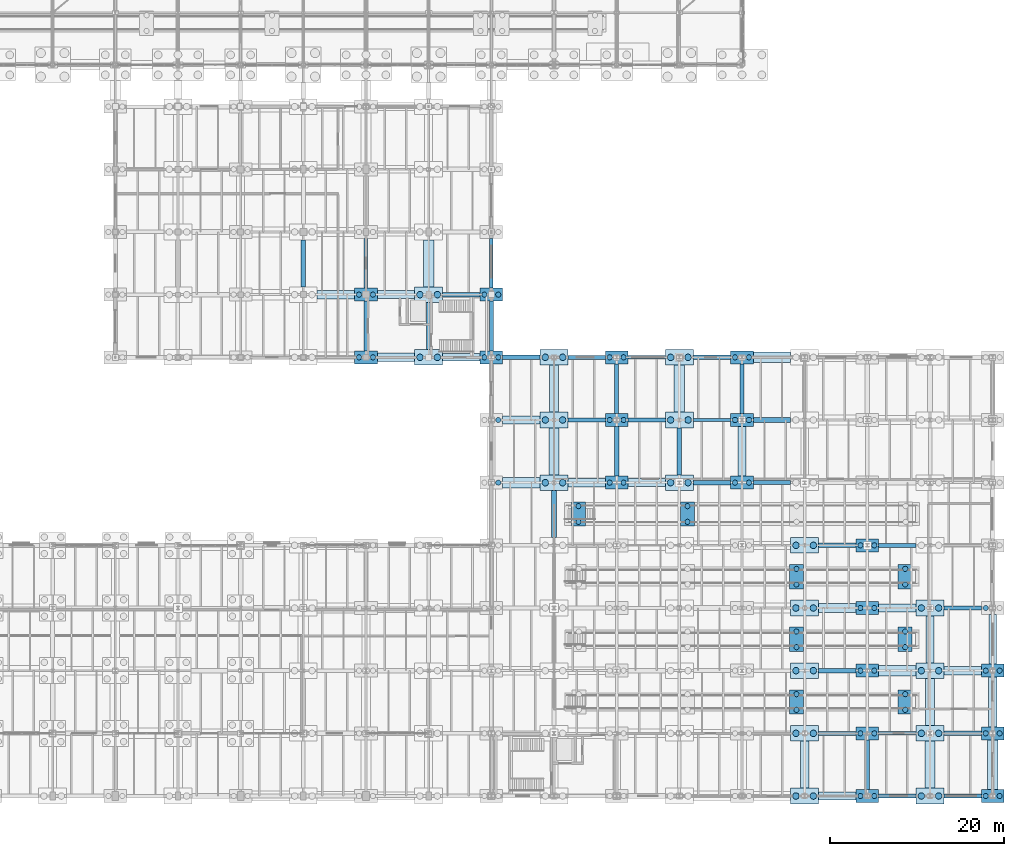
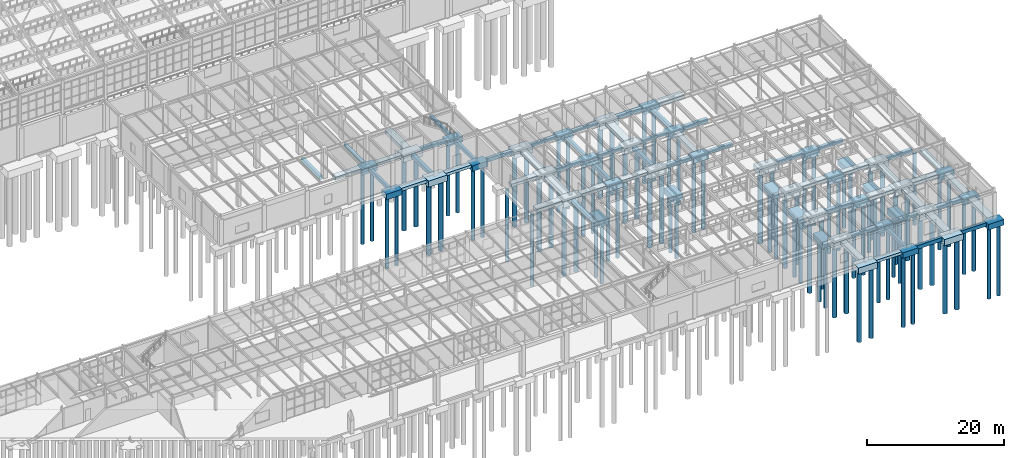
# One storey, part 11 of 293: 101 footings, 89 piles.
"""IFC4 building model written with IfcOpenShell, lengths in metres."""

import ifcopenshell
import ifcopenshell.guid

model = None  # the IFC model being written
_history = None  # IfcOwnerHistory: only IFC2X3 demands one
_inside = {}  # id of a spatial element -> (the spatial element, [elements in it])
_under = {}  # id of a project, library or spatial element -> (it, [spatial elements below it])
_declared = {}  # id of a project -> (the project, [libraries it declares])
_typed = {}  # id of a type object -> (the type object, [elements of that type])
_made_of = {}  # id of a material, layer set ... -> (it, [elements and type objects made of it])


def new_model(schema):
    """Start an empty IFC model of exactly this schema.

    Asked for "IFC4X3", IfcOpenShell would pick the latest addendum, in which some entities
    have other attributes; the version numbers below select the first issue.
    IFC2X3 requires an IfcOwnerHistory on every rooted entity: one is made here for all.
    """
    global model, _history
    if schema == "IFC4X3":
        model = ifcopenshell.file(schema_version=(4, 3, 0, 0))
    else:
        model = ifcopenshell.file(schema=schema)
    _inside.clear()
    _under.clear()
    _declared.clear()
    _typed.clear()
    _made_of.clear()
    _history = None
    if model.schema == "IFC2X3":
        org = make("IfcOrganization", Name="unknown")
        user = make(
            "IfcPersonAndOrganization",
            ThePerson=make("IfcPerson", FamilyName="unknown"),
            TheOrganization=org,
        )
        app = make(
            "IfcApplication",
            ApplicationDeveloper=org,
            Version="unknown",
            ApplicationFullName="unknown",
            ApplicationIdentifier="unknown",
        )
        _history = make(
            "IfcOwnerHistory",
            OwningUser=user,
            OwningApplication=app,
            ChangeAction="ADDED",
            CreationDate=0,
        )
    return model


def make(cls, **values):
    """One entity of the class cls with the attributes given. An attribute that is None is left unset."""
    return model.create_entity(
        cls, **{name: value for name, value in values.items() if value is not None}
    )


def rooted(cls, **values):
    """An entity with a GlobalId (a new one), such as an element, a storey or a relation."""
    return make(cls, GlobalId=ifcopenshell.guid.new(), OwnerHistory=_history, **values)


def si_unit(unit_type, name, prefix=None):
    """IfcSIUnit, for example si_unit("LENGTHUNIT", "METRE", prefix="MILLI")."""
    return make("IfcSIUnit", UnitType=unit_type, Prefix=prefix, Name=name)


def assignment(units):
    """IfcUnitAssignment: the units of a project."""
    return None if units is None else make("IfcUnitAssignment", Units=units)


def point(xyz):
    """IfcCartesianPoint."""
    return None if xyz is None else make("IfcCartesianPoint", Coordinates=xyz)


def direction(xyz):
    """IfcDirection."""
    return None if xyz is None else make("IfcDirection", DirectionRatios=xyz)


def frame(location, z_axis=None, x_axis=None):
    """IfcAxis2Placement3D, a coordinate frame: its origin and axes. An axis left out is left unset."""
    return make(
        "IfcAxis2Placement3D",
        Location=point(location),
        Axis=direction(z_axis),
        RefDirection=direction(x_axis),
    )


def frame_2d(location, x_axis=None):
    """IfcAxis2Placement2D, a coordinate frame in the plane: its origin and x axis."""
    return make(
        "IfcAxis2Placement2D", Location=point(location), RefDirection=direction(x_axis)
    )


def origin():
    """The frame at (0, 0, 0) with its axes left unset."""
    return frame((0.0, 0.0, 0.0))


def origin_2d():
    """The frame at (0, 0) in the plane with its x axis left unset."""
    return frame_2d((0.0, 0.0))


def place(relative_to, where):
    """IfcLocalPlacement: puts the frame where relative to a parent placement (None: the world)."""
    return make(
        "IfcLocalPlacement", PlacementRelTo=relative_to, RelativePlacement=where
    )


def context(
    kind, dimensions, precision=None, world=None, true_north=None, identifier=None
):
    """IfcGeometricRepresentationContext, for example the 3D "Model" context."""
    return make(
        "IfcGeometricRepresentationContext",
        ContextIdentifier=identifier,
        ContextType=kind,
        CoordinateSpaceDimension=dimensions,
        Precision=precision,
        WorldCoordinateSystem=world,
        TrueNorth=true_north,
    )


def subcontext(parent, identifier, kind, view, scale=None):
    """IfcGeometricRepresentationSubContext, for example "Body" below "Model"."""
    return make(
        "IfcGeometricRepresentationSubContext",
        ContextIdentifier=identifier,
        ContextType=kind,
        ParentContext=parent,
        TargetScale=scale,
        TargetView=view,
    )


def project(units=None, contexts=None):
    """IfcProject with its units and contexts."""
    return rooted(
        "IfcProject",
        Name="project",
        RepresentationContexts=contexts,
        UnitsInContext=assignment(units),
    )


def spatial(cls, under=None, at=None, **own):
    """A site, building, storey or space (cls), placed at a placement, below another one or the project."""
    s = rooted(cls, ObjectPlacement=at, **own)
    if under is not None:
        _under.setdefault(under.id(), (under, []))[1].append(s)
    return s


def profile(cls, at=None, kind="AREA", **sizes):
    """A parametric profile (cls). Its sizes go by their IFC names, for example OverallWidth=200.0."""
    return make(cls, ProfileType=kind, Position=at, **sizes)


def rectangle(**sizes):
    """IfcRectangleProfileDef."""
    return profile("IfcRectangleProfileDef", **sizes)


def circle(**sizes):
    """IfcCircleProfileDef."""
    return profile("IfcCircleProfileDef", **sizes)


def extrude(swept, where, along, depth):
    """IfcExtrudedAreaSolid: the profile swept, set in the frame where, extruded along a direction by depth."""
    return make(
        "IfcExtrudedAreaSolid",
        SweptArea=swept,
        Position=where,
        ExtrudedDirection=direction(along),
        Depth=depth,
    )


def shape(context_of_items, identifier, shape_type, items):
    """IfcShapeRepresentation: the items that make up one representation, for example the "Body"."""
    return make(
        "IfcShapeRepresentation",
        ContextOfItems=context_of_items,
        RepresentationIdentifier=identifier,
        RepresentationType=shape_type,
        Items=items,
    )


def material(Name=None, Category=None):
    """IfcMaterial."""
    return make("IfcMaterial", Name=Name, Category=Category)


def material_profile(
    of_material, cross_section, Name=None, Category=None, Priority=None
):
    """IfcMaterialProfile: a cross section and its material."""
    return make(
        "IfcMaterialProfile",
        Name=Name,
        Material=of_material,
        Profile=cross_section,
        Priority=Priority,
        Category=Category,
    )


def profile_set(profiles, Name=None, composite=None):
    """IfcMaterialProfileSet."""
    return make(
        "IfcMaterialProfileSet",
        Name=Name,
        MaterialProfiles=profiles,
        CompositeProfile=composite,
    )


def made_of(thing, what):
    """Note that an element or type object is made of a material, layer set ...; save() writes the relation."""
    if what is not None:
        _made_of.setdefault(what.id(), (what, []))[1].append(thing)
    return thing


def type_object(cls, material=None, **own):
    """A type object (cls), such as IfcWallType, which elements share."""
    return made_of(rooted(cls, **own), material)


def element(
    cls,
    number,
    at=None,
    inside=None,
    cuts=None,
    type_object=None,
    material=None,
    context=None,
    identifier="Body",
    shape_type=None,
    held_by="IfcProductDefinitionShape",
    body=None,
    shapes=None,
    **own,
):
    """One element of the class cls, such as IfcWall. Its Tag is "e" and its number.

    at: its placement. inside: the storey or other place that contains it. cuts: it is an
    opening in that element (IfcRelVoidsElement). A single representation is given by context,
    identifier, shape_type and body (its items); several are given by shapes. held_by: the class
    of the entity that holds the representations. save() writes the other relations.
    """
    e = rooted(cls, Tag="e%d" % number, ObjectPlacement=at, **own)
    if body is not None:
        shapes = [shape(context, identifier, shape_type, body)]
    if shapes is not None:
        e.Representation = make(held_by, Representations=shapes)
    if inside is not None:
        _inside.setdefault(inside.id(), (inside, []))[1].append(e)
    if cuts is not None:
        rooted(
            "IfcRelVoidsElement", RelatingBuildingElement=cuts, RelatedOpeningElement=e
        )
    if type_object is not None:
        _typed.setdefault(type_object.id(), (type_object, []))[1].append(e)
    return made_of(e, material)


def aggregate(whole, parts):
    """IfcRelAggregates: a whole, such as a stair, and the parts it consists of."""
    return rooted("IfcRelAggregates", RelatingObject=whole, RelatedObjects=parts)


def save(model, path):
    """Write the relations noted so far, then the file.

    IfcRelAggregates (storeys below a building ...), IfcRelContainedInSpatialStructure (elements
    in a storey), IfcRelDefinesByType, IfcRelAssociatesMaterial and IfcRelDeclares: one each for
    every whole, place, type object, material and project.
    """
    for whole, parts in _under.values():
        aggregate(whole, parts)
    for where, things in _inside.values():
        rooted(
            "IfcRelContainedInSpatialStructure",
            RelatedElements=things,
            RelatingStructure=where,
        )
    for kind, things in _typed.values():
        rooted("IfcRelDefinesByType", RelatedObjects=things, RelatingType=kind)
    for what, things in _made_of.values():
        rooted("IfcRelAssociatesMaterial", RelatedObjects=things, RelatingMaterial=what)
    for by, libraries in _declared.values():
        rooted("IfcRelDeclares", RelatingContext=by, RelatedDefinitions=libraries)
    model.write(path)


model = new_model("IFC4")

# Units and contexts
model_context = context("Model", 3, precision=1e-05, world=origin(), true_north=direction((0.0, 1.0)))
body_context = subcontext(model_context, "Body", "Model", "MODEL_VIEW")
ifc_project = project(units=[si_unit("LENGTHUNIT", "METRE"), si_unit("AREAUNIT", "SQUARE_METRE"), si_unit("VOLUMEUNIT", "CUBIC_METRE"), si_unit("PLANEANGLEUNIT", "RADIAN"), si_unit("MASSUNIT", "GRAM", prefix="KILO")], contexts=[model_context])

# Site, building, storey
site_placement = place(None, origin())
site = spatial("IfcSite", under=ifc_project, at=site_placement, CompositionType="ELEMENT")
building_placement = place(site_placement, origin())
building = spatial("IfcBuilding", under=site, at=building_placement, Name="Kemerveld Promenade Tramway Depot", CompositionType="ELEMENT")
storey_placement = place(building_placement, origin())
storey = spatial("IfcBuildingStorey", under=building, at=storey_placement, Name="L00", CompositionType="ELEMENT", Elevation=0.0)

# Footings
ifc_material = material(Name="Concrete C35/45", Category="concrete")
footing_type_1 = type_object("IfcFootingType", Name="FT-GB01", PredefinedType="FOOTING_BEAM", material=ifc_material)
for number, where, z_axis, x_axis, name in (
    (1, (205.050048828125, 0.0, -0.949951171875), (0.0, 0.0, 1.0), (1.0, 0.0, 0.0), "GBX-29-30-A"),
    (2, (212.550048828125, 21.60009765625, -0.949951171875), (0.0, 0.0, 1.0), (1.0, 0.0, 0.0), "GBX-30-31-D"),
    (3, (198.14990234375, 28.800048828125, -0.949951171875), (0.0, 0.0, 1.0), (1.0, 0.0, 0.0), "GBX-28-29-E"),
    (4, (183.75, 36.0, -0.949951171875), (0.0, 0.0, 1.0), (1.0, 0.0, 0.0), "GBX-26-27-F"),
    (5, (169.35009765625, 43.199951171875, -0.949951171875), (0.0, 0.0, 1.0), (1.0, 0.0, 0.0), "GBX-24-25-G"),
    (6, (161.85009765625, 50.39990234375, -0.949951171875), (0.0, 0.0, 1.0), (1.0, 0.0, 0.0), "GBX-23-24-H"),
    (7, (154.949951171875, 57.60009765625, -0.949951171875), (0.0, 0.0, 1.0), (1.0, 0.0, 0.0), "GBX-22-23-J"),
):
    element("IfcFooting", number, at=place(storey_placement, frame(where, z_axis=z_axis, x_axis=x_axis)), inside=storey, type_object=footing_type_1, Name=name, PredefinedType="FOOTING_BEAM", context=body_context, shape_type="SweptSolid", body=[
        extrude(rectangle(XDim=4.300048828125, YDim=0.5, at=origin_2d()), origin(), (0.0, 0.0, 1.0), 0.64990234375),
    ])
footing_1_placement = place(storey_placement, frame((136.800048828125, 61.199951171875, -0.949951171875), z_axis=(0.0, 0.0, 1.0), x_axis=(0.0, 1.0, 0.0)))
element("IfcFooting", 8, at=footing_1_placement, inside=storey, type_object=footing_type_1, Name="GBY-20-J-K", PredefinedType="FOOTING_BEAM", context=body_context, shape_type="SweptSolid", body=[
    extrude(rectangle(XDim=5.39990234375, YDim=0.5, at=origin_2d()), origin(), (0.0, 0.0, 1.0), 0.64990234375),
])
for number, where, z_axis, x_axis, name in (
    (9, (172.800048828125, 39.60009765625, -0.949951171875), (0.0, 0.0, 1.0), (0.0, 1.0, 0.0), "GBY-25-F-G"),
    (10, (187.199951171875, 46.800048828125, -0.949951171875), (0.0, 0.0, 1.0), (0.0, 1.0, 0.0), "GBY-27-G-H"),
):
    element("IfcFooting", number, at=place(storey_placement, frame(where, z_axis=z_axis, x_axis=x_axis)), inside=storey, type_object=footing_type_1, Name=name, PredefinedType="FOOTING_BEAM", context=body_context, shape_type="SweptSolid", body=[
        extrude(rectangle(XDim=5.699951171875, YDim=0.5, at=origin_2d()), origin(), (0.0, 0.0, 1.0), 0.64990234375),
    ])
footing_type_2 = type_object("IfcFootingType", Name="FT-GB02", PredefinedType="FOOTING_BEAM", material=ifc_material)
for number, where, z_axis, x_axis, name in (
    (11, (212.550048828125, 0.0, -0.900146484375), (0.0, 0.0, 1.0), (1.0, 0.0, 0.0), "GBX-30-31-A"),
    (12, (198.14990234375, 7.199951171875, -0.900146484375), (0.0, 0.0, 1.0), (1.0, 0.0, 0.0), "GBX-28-29-B"),
    (13, (205.050048828125, 28.800048828125, -0.900146484375), (0.0, 0.0, 1.0), (1.0, 0.0, 0.0), "GBX-29-30-E"),
    (14, (190.64990234375, 36.0, -0.900146484375), (0.0, 0.0, 1.0), (1.0, 0.0, 0.0), "GBX-27-28-F"),
    (15, (176.25, 43.199951171875, -0.900146484375), (0.0, 0.0, 1.0), (1.0, 0.0, 0.0), "GBX-25-26-G"),
    (16, (169.35009765625, 50.39990234375, -0.900146484375), (0.0, 0.0, 1.0), (1.0, 0.0, 0.0), "GBX-24-25-H"),
):
    element("IfcFooting", number, at=place(storey_placement, frame(where, z_axis=z_axis, x_axis=x_axis)), inside=storey, type_object=footing_type_2, Name=name, PredefinedType="FOOTING_BEAM", context=body_context, shape_type="SweptSolid", body=[
        extrude(rectangle(XDim=4.300048828125, YDim=0.449951171875, at=origin_2d()), origin(), (0.0, 0.0, 1.0), 0.60009765625),
    ])
for number, where, z_axis, x_axis, name in (
    (17, (144.0, 54.0, -0.900146484375), (0.0, 0.0, 1.0), (0.0, 1.0, 0.0), "GBY-21-H-J"),
    (18, (158.39990234375, 54.0, -0.900146484375), (0.0, 0.0, 1.0), (0.0, 1.0, 0.0), "GBY-23-H-J"),
    (19, (172.800048828125, 46.800048828125, -0.900146484375), (0.0, 0.0, 1.0), (0.0, 1.0, 0.0), "GBY-25-G-H"),
    (20, (201.60009765625, 3.60009765625, -0.900146484375), (0.0, 0.0, 1.0), (0.0, 1.0, 0.0), "GBY-29-A-B"),
):
    element("IfcFooting", number, at=place(storey_placement, frame(where, z_axis=z_axis, x_axis=x_axis)), inside=storey, type_object=footing_type_2, Name=name, PredefinedType="FOOTING_BEAM", context=body_context, shape_type="SweptSolid", body=[
        extrude(rectangle(XDim=5.699951171875, YDim=0.449951171875, at=origin_2d()), origin(), (0.0, 0.0, 1.0), 0.60009765625),
    ])
footing_type_3 = type_object("IfcFootingType", Name="FT-GB03", PredefinedType="FOOTING_BEAM", material=ifc_material)
for number, where, z_axis, x_axis, name in (
    (21, (205.050048828125, 7.199951171875, -0.85009765625), (0.0, 0.0, 1.0), (1.0, 0.0, 0.0), "GBX-29-30-B"),
    (22, (183.75, 43.199951171875, -0.85009765625), (0.0, 0.0, 1.0), (1.0, 0.0, 0.0), "GBX-26-27-G"),
    (23, (176.25, 50.39990234375, -0.85009765625), (0.0, 0.0, 1.0), (1.0, 0.0, 0.0), "GBX-25-26-H"),
):
    element("IfcFooting", number, at=place(storey_placement, frame(where, z_axis=z_axis, x_axis=x_axis)), inside=storey, type_object=footing_type_3, Name=name, PredefinedType="FOOTING_BEAM", context=body_context, shape_type="SweptSolid", body=[
        extrude(rectangle(XDim=4.300048828125, YDim=0.39990234375, at=origin_2d()), origin(), (0.0, 0.0, 1.0), 0.550048828125),
    ])
for number, where, z_axis, x_axis, name in (
    (24, (144.0, 61.199951171875, -0.85009765625), (0.0, 0.0, 1.0), (0.0, 1.0, 0.0), "GBY-21-J-K"),
    (25, (158.39990234375, 61.199951171875, -0.85009765625), (0.0, 0.0, 1.0), (0.0, 1.0, 0.0), "GBY-23-J-K"),
):
    element("IfcFooting", number, at=place(storey_placement, frame(where, z_axis=z_axis, x_axis=x_axis)), inside=storey, type_object=footing_type_3, Name=name, PredefinedType="FOOTING_BEAM", context=body_context, shape_type="SweptSolid", body=[
        extrude(rectangle(XDim=5.699951171875, YDim=0.39990234375, at=origin_2d()), origin(), (0.0, 0.0, 1.0), 0.550048828125),
    ])
footing_type_4 = type_object("IfcFootingType", Name="FT-GB04", PredefinedType="FOOTING_BEAM", material=ifc_material)
for number, where, z_axis, x_axis, name in (
    (26, (212.550048828125, 7.199951171875, -1.0), (0.0, 0.0, 1.0), (1.0, 0.0, 0.0), "GBX-30-31-B"),
    (27, (198.14990234375, 14.39990234375, -1.0), (0.0, 0.0, 1.0), (1.0, 0.0, 0.0), "GBX-28-29-C"),
    (28, (190.64990234375, 43.199951171875, -1.0), (0.0, 0.0, 1.0), (1.0, 0.0, 0.0), "GBX-27-28-G"),
    (29, (183.75, 50.39990234375, -1.0), (0.0, 0.0, 1.0), (1.0, 0.0, 0.0), "GBX-26-27-H"),
):
    element("IfcFooting", number, at=place(storey_placement, frame(where, z_axis=z_axis, x_axis=x_axis)), inside=storey, type_object=footing_type_4, Name=name, PredefinedType="FOOTING_BEAM", context=body_context, shape_type="SweptSolid", body=[
        extrude(rectangle(XDim=4.300048828125, YDim=0.550048828125, at=origin_2d()), origin(), (0.0, 0.0, 1.0), 0.699951171875),
    ])
for number, where, z_axis, x_axis, name in (
    (30, (151.199951171875, 54.0, -1.0), (0.0, 0.0, 1.0), (0.0, 1.0, 0.0), "GBY-22-H-J"),
    (31, (165.60009765625, 32.39990234375, -1.0), (0.0, 0.0, 1.0), (0.0, 1.0, 0.0), "GBY-24-E-F"),
    (32, (180.0, 39.60009765625, -1.0), (0.0, 0.0, 1.0), (0.0, 1.0, 0.0), "GBY-26-F-G"),
):
    element("IfcFooting", number, at=place(storey_placement, frame(where, z_axis=z_axis, x_axis=x_axis)), inside=storey, type_object=footing_type_4, Name=name, PredefinedType="FOOTING_BEAM", context=body_context, shape_type="SweptSolid", body=[
        extrude(rectangle(XDim=5.39990234375, YDim=0.550048828125, at=origin_2d()), origin(), (0.0, 0.0, 1.0), 0.699951171875),
    ])
footing_type_5 = type_object("IfcFootingType", Name="FT-PC06", PredefinedType="PILE_CAP", material=ifc_material)
for number, where, z_axis, x_axis, name in (
    (33, (151.199951171875, 50.39990234375, -1.400146484375), (0.0, 0.0, 1.0), (1.0, 0.0, 0.0), "FT-22-H"),
    (34, (151.199951171875, 57.60009765625, -1.400146484375), (0.0, 0.0, 1.0), (1.0, 0.0, 0.0), "FT-22-J"),
    (35, (165.60009765625, 36.0, -1.400146484375), (0.0, 0.0, 1.0), (1.0, 0.0, 0.0), "FT-24-F"),
    (36, (165.60009765625, 43.199951171875, -1.400146484375), (0.0, 0.0, 1.0), (1.0, 0.0, 0.0), "FT-24-G"),
    (37, (165.60009765625, 50.39990234375, -1.400146484375), (0.0, 0.0, 1.0), (1.0, 0.0, 0.0), "FT-24-H"),
    (38, (180.0, 36.0, -1.400146484375), (0.0, 0.0, 1.0), (1.0, 0.0, 0.0), "FT-26-F"),
    (39, (180.0, 43.199951171875, -1.400146484375), (0.0, 0.0, 1.0), (1.0, 0.0, 0.0), "FT-26-G"),
    (40, (180.0, 50.39990234375, -1.400146484375), (0.0, 0.0, 1.0), (1.0, 0.0, 0.0), "FT-26-H"),
    (41, (194.39990234375, 0.0, -1.400146484375), (0.0, 0.0, 1.0), (1.0, 0.0, 0.0), "FT-28-A"),
    (42, (194.39990234375, 7.199951171875, -1.400146484375), (0.0, 0.0, 1.0), (1.0, 0.0, 0.0), "FT-28-B"),
    (43, (194.39990234375, 14.39990234375, -1.400146484375), (0.0, 0.0, 1.0), (1.0, 0.0, 0.0), "FT-28-C"),
    (44, (194.39990234375, 21.60009765625, -1.400146484375), (0.0, 0.0, 1.0), (1.0, 0.0, 0.0), "FT-28-D"),
    (45, (194.39990234375, 28.800048828125, -1.400146484375), (0.0, 0.0, 1.0), (1.0, 0.0, 0.0), "FT-28-E"),
    (46, (208.800048828125, 0.0, -1.400146484375), (0.0, 0.0, 1.0), (1.0, 0.0, 0.0), "FT-30-A"),
    (47, (208.800048828125, 7.199951171875, -1.400146484375), (0.0, 0.0, 1.0), (1.0, 0.0, 0.0), "FT-30-B"),
    (48, (208.800048828125, 14.39990234375, -1.400146484375), (0.0, 0.0, 1.0), (1.0, 0.0, 0.0), "FT-30-C"),
    (49, (208.800048828125, 21.60009765625, -1.400146484375), (0.0, 0.0, 1.0), (1.0, 0.0, 0.0), "FT-30-D"),
):
    element("IfcFooting", number, at=place(storey_placement, frame(where, z_axis=z_axis, x_axis=x_axis)), inside=storey, type_object=footing_type_5, Name=name, PredefinedType="PILE_CAP", context=body_context, shape_type="SweptSolid", body=[
        extrude(rectangle(XDim=3.199951171875, YDim=1.800048828125, at=origin_2d()), origin(), (0.0, 0.0, 1.0), 1.10009765625),
    ])
footing_type_6 = type_object("IfcFootingType", Name="FT-PC07", PredefinedType="PILE_CAP", material=ifc_material)
for number, where, z_axis, x_axis, name in (
    (50, (193.449951171875, 10.800048828125, -3.0), (0.0, 0.0, 1.0), (1.0, 0.0, 0.0), "FT-PIT-08-03"),
    (51, (205.949951171875, 10.800048828125, -3.0), (0.0, 0.0, 1.0), (1.0, 0.0, 0.0), "FT-PIT-08-04"),
    (52, (193.449951171875, 18.0, -3.0), (0.0, 0.0, 1.0), (1.0, 0.0, 0.0), "FT-PIT-09-03"),
    (53, (205.949951171875, 18.0, -3.0), (0.0, 0.0, 1.0), (1.0, 0.0, 0.0), "FT-PIT-09-04"),
    (54, (193.449951171875, 25.199951171875, -3.0), (0.0, 0.0, 1.0), (1.0, 0.0, 0.0), "FT-PIT-10-03"),
    (55, (205.949951171875, 25.199951171875, -3.0), (0.0, 0.0, 1.0), (1.0, 0.0, 0.0), "FT-PIT-10-04"),
    (56, (168.39990234375, 32.39990234375, -3.64990234375), (0.0, 0.0, 1.0), (1.0, 0.0, 0.0), "FT-PIT-11-01"),
    (57, (180.93310546875, 32.39990234375, -3.64990234375), (0.0, 0.0, 1.0), (1.0, 0.0, 0.0), "FT-PIT-11-02"),
):
    element("IfcFooting", number, at=place(storey_placement, frame(where, z_axis=z_axis, x_axis=x_axis)), inside=storey, type_object=footing_type_6, Name=name, PredefinedType="PILE_CAP", context=body_context, shape_type="SweptSolid", body=[
        extrude(rectangle(XDim=1.60009765625, YDim=2.800048828125, at=origin_2d()), origin(), (0.0, 0.0, 1.0), 1.050048828125),
    ])
footing_type_7 = type_object("IfcFootingType", Name="FT-PC08", PredefinedType="PILE_CAP", material=ifc_material)
for number, where, z_axis, x_axis, name in (
    (58, (144.0, 50.39990234375, -1.300048828125), (0.0, 0.0, 1.0), (1.0, 0.0, 0.0), "FT-21-H"),
    (59, (144.0, 57.60009765625, -1.300048828125), (0.0, 0.0, 1.0), (1.0, 0.0, 0.0), "FT-21-J"),
    (60, (158.39990234375, 50.39990234375, -1.300048828125), (0.0, 0.0, 1.0), (1.0, 0.0, 0.0), "FT-23-H"),
    (61, (158.39990234375, 57.60009765625, -1.300048828125), (0.0, 0.0, 1.0), (1.0, 0.0, 0.0), "FT-23-J"),
    (62, (172.800048828125, 36.0, -1.300048828125), (0.0, 0.0, 1.0), (1.0, 0.0, 0.0), "FT-25-F"),
    (63, (172.800048828125, 43.199951171875, -1.300048828125), (0.0, 0.0, 1.0), (1.0, 0.0, 0.0), "FT-25-G"),
    (64, (172.800048828125, 50.39990234375, -1.300048828125), (0.0, 0.0, 1.0), (1.0, 0.0, 0.0), "FT-25-H"),
    (65, (187.199951171875, 36.0, -1.300048828125), (0.0, 0.0, 1.0), (1.0, 0.0, 0.0), "FT-27-F"),
    (66, (187.199951171875, 43.199951171875, -1.300048828125), (0.0, 0.0, 1.0), (1.0, 0.0, 0.0), "FT-27-G"),
    (67, (187.199951171875, 50.39990234375, -1.300048828125), (0.0, 0.0, 1.0), (1.0, 0.0, 0.0), "FT-27-H"),
    (68, (201.60009765625, 0.0, -1.300048828125), (0.0, 0.0, 1.0), (1.0, 0.0, 0.0), "FT-29-A"),
    (69, (201.60009765625, 7.199951171875, -1.300048828125), (0.0, 0.0, 1.0), (1.0, 0.0, 0.0), "FT-29-B"),
    (70, (201.60009765625, 14.39990234375, -1.300048828125), (0.0, 0.0, 1.0), (1.0, 0.0, 0.0), "FT-29-C"),
    (71, (201.60009765625, 21.60009765625, -1.300048828125), (0.0, 0.0, 1.0), (1.0, 0.0, 0.0), "FT-29-D"),
    (72, (201.60009765625, 28.800048828125, -1.300048828125), (0.0, 0.0, 1.0), (1.0, 0.0, 0.0), "FT-29-E"),
    (73, (216.0, 0.0, -1.300048828125), (0.0, 0.0, 1.0), (1.0, 0.0, 0.0), "FT-31-A"),
    (74, (216.0, 7.199951171875, -1.300048828125), (0.0, 0.0, 1.0), (1.0, 0.0, 0.0), "FT-31-B"),
    (75, (216.0, 14.39990234375, -1.300048828125), (0.0, 0.0, 1.0), (1.0, 0.0, 0.0), "FT-31-C"),
):
    element("IfcFooting", number, at=place(storey_placement, frame(where, z_axis=z_axis, x_axis=x_axis)), inside=storey, type_object=footing_type_7, Name=name, PredefinedType="PILE_CAP", context=body_context, shape_type="SweptSolid", body=[
        extrude(rectangle(XDim=2.60009765625, YDim=1.5, at=origin_2d()), origin(), (0.0, 0.0, 1.0), 1.0),
    ])
footing_type_8 = type_object("IfcFootingType", Name="FT-SF01", PredefinedType="STRIP_FOOTING", material=ifc_material)
for number, where, z_axis, x_axis, name in (
    (76, (205.050048828125, 14.39990234375, -0.900146484375), (0.0, 0.0, 1.0), (1.0, 0.0, 0.0), "GBX-29-30-C"),
    (77, (161.85009765625, 36.0, -0.900146484375), (0.0, 0.0, 1.0), (1.0, 0.0, 0.0), "GBX-23-24-F"),
    (78, (190.64990234375, 50.39990234375, -0.900146484375), (0.0, 0.0, 1.0), (1.0, 0.0, 0.0), "GBX-27-28-H"),
):
    element("IfcFooting", number, at=place(storey_placement, frame(where, z_axis=z_axis, x_axis=x_axis)), inside=storey, type_object=footing_type_8, Name=name, PredefinedType="STRIP_FOOTING", context=body_context, shape_type="SweptSolid", body=[
        extrude(rectangle(XDim=4.300048828125, YDim=1.199951171875, at=origin_2d()), origin(), (0.0, 0.0, 1.0), 0.60009765625),
    ])
for number, where, z_axis, x_axis, name in (
    (79, (151.199951171875, 61.199951171875, -0.900146484375), (0.0, 0.0, 1.0), (0.0, 1.0, 0.0), "GBY-22-J-K"),
    (80, (165.60009765625, 39.60009765625, -0.900146484375), (0.0, 0.0, 1.0), (0.0, 1.0, 0.0), "GBY-24-F-G"),
    (81, (180.0, 46.800048828125, -0.900146484375), (0.0, 0.0, 1.0), (0.0, 1.0, 0.0), "GBY-26-G-H"),
    (82, (208.800048828125, 3.60009765625, -0.900146484375), (0.0, 0.0, 1.0), (0.0, 1.0, 0.0), "GBY-30-A-B"),
):
    element("IfcFooting", number, at=place(storey_placement, frame(where, z_axis=z_axis, x_axis=x_axis)), inside=storey, type_object=footing_type_8, Name=name, PredefinedType="STRIP_FOOTING", context=body_context, shape_type="SweptSolid", body=[
        extrude(rectangle(XDim=5.39990234375, YDim=1.199951171875, at=origin_2d()), origin(), (0.0, 0.0, 1.0), 0.60009765625),
    ])
footing_2_placement = place(storey_placement, frame((216.0, 3.60009765625, -0.900146484375), z_axis=(0.0, 0.0, 1.0), x_axis=(0.0, 1.0, 0.0)))
element("IfcFooting", 83, at=footing_2_placement, inside=storey, type_object=footing_type_8, Name="GBY-31-A-B", PredefinedType="STRIP_FOOTING", context=body_context, shape_type="SweptSolid", body=[
    extrude(rectangle(XDim=5.699951171875, YDim=1.199951171875, at=origin_2d()), origin(), (0.0, 0.0, 1.0), 0.60009765625),
])
footing_type_9 = type_object("IfcFootingType", Name="FT-SF02", PredefinedType="STRIP_FOOTING", material=ifc_material)
for number, where, z_axis, x_axis, name in (
    (84, (212.550048828125, 14.39990234375, -0.85009765625), (0.0, 0.0, 1.0), (1.0, 0.0, 0.0), "GBX-30-31-C"),
    (85, (198.14990234375, 21.60009765625, -0.85009765625), (0.0, 0.0, 1.0), (1.0, 0.0, 0.0), "GBX-28-29-D"),
    (86, (169.35009765625, 36.0, -0.85009765625), (0.0, 0.0, 1.0), (1.0, 0.0, 0.0), "GBX-24-25-F"),
    (87, (147.449951171875, 50.39990234375, -0.85009765625), (0.0, 0.0, 1.0), (1.0, 0.0, 0.0), "GBX-21-22-H"),
    (88, (140.550048828125, 57.60009765625, -0.85009765625), (0.0, 0.0, 1.0), (1.0, 0.0, 0.0), "GBX-20-21-J"),
):
    element("IfcFooting", number, at=place(storey_placement, frame(where, z_axis=z_axis, x_axis=x_axis)), inside=storey, type_object=footing_type_9, Name=name, PredefinedType="STRIP_FOOTING", context=body_context, shape_type="SweptSolid", body=[
        extrude(rectangle(XDim=4.300048828125, YDim=1.0, at=origin_2d()), origin(), (0.0, 0.0, 1.0), 0.550048828125),
    ])
for number, where, z_axis, x_axis, name in (
    (89, (165.60009765625, 46.800048828125, -0.85009765625), (0.0, 0.0, 1.0), (0.0, 1.0, 0.0), "GBY-24-G-H"),
    (90, (194.39990234375, 3.60009765625, -0.85009765625), (0.0, 0.0, 1.0), (0.0, 1.0, 0.0), "GBY-28-A-B"),
    (91, (208.800048828125, 10.800048828125, -0.85009765625), (0.0, 0.0, 1.0), (0.0, 1.0, 0.0), "GBY-30-B-C"),
):
    element("IfcFooting", number, at=place(storey_placement, frame(where, z_axis=z_axis, x_axis=x_axis)), inside=storey, type_object=footing_type_9, Name=name, PredefinedType="STRIP_FOOTING", context=body_context, shape_type="SweptSolid", body=[
        extrude(rectangle(XDim=5.39990234375, YDim=1.0, at=origin_2d()), origin(), (0.0, 0.0, 1.0), 0.550048828125),
    ])
footing_3_placement = place(storey_placement, frame((216.0, 10.800048828125, -0.85009765625), z_axis=(0.0, 0.0, 1.0), x_axis=(0.0, 1.0, 0.0)))
element("IfcFooting", 92, at=footing_3_placement, inside=storey, type_object=footing_type_9, Name="GBY-31-B-C", PredefinedType="STRIP_FOOTING", context=body_context, shape_type="SweptSolid", body=[
    extrude(rectangle(XDim=5.699951171875, YDim=1.0, at=origin_2d()), origin(), (0.0, 0.0, 1.0), 0.550048828125),
])
footing_type_10 = type_object("IfcFootingType", Name="FT-SF03", PredefinedType="STRIP_FOOTING", material=ifc_material)
for number, where, z_axis, x_axis, name in (
    (93, (198.14990234375, 0.0, -0.800048828125), (0.0, 0.0, 1.0), (1.0, 0.0, 0.0), "GBX-28-29-A"),
    (94, (205.050048828125, 21.60009765625, -0.800048828125), (0.0, 0.0, 1.0), (1.0, 0.0, 0.0), "GBX-29-30-D"),
    (95, (176.25, 36.0, -0.800048828125), (0.0, 0.0, 1.0), (1.0, 0.0, 0.0), "GBX-25-26-F"),
    (96, (161.85009765625, 43.199951171875, -0.800048828125), (0.0, 0.0, 1.0), (1.0, 0.0, 0.0), "GBX-23-24-G"),
    (97, (154.949951171875, 50.39990234375, -0.800048828125), (0.0, 0.0, 1.0), (1.0, 0.0, 0.0), "GBX-22-23-H"),
    (98, (147.449951171875, 57.60009765625, -0.800048828125), (0.0, 0.0, 1.0), (1.0, 0.0, 0.0), "GBX-21-22-J"),
):
    element("IfcFooting", number, at=place(storey_placement, frame(where, z_axis=z_axis, x_axis=x_axis)), inside=storey, type_object=footing_type_10, Name=name, PredefinedType="STRIP_FOOTING", context=body_context, shape_type="SweptSolid", body=[
        extrude(rectangle(XDim=4.300048828125, YDim=0.89990234375, at=origin_2d()), origin(), (0.0, 0.0, 1.0), 0.5),
    ])
footing_4_placement = place(storey_placement, frame((187.199951171875, 39.60009765625, -0.800048828125), z_axis=(0.0, 0.0, 1.0), x_axis=(0.0, 1.0, 0.0)))
element("IfcFooting", 99, at=footing_4_placement, inside=storey, type_object=footing_type_10, Name="GBY-27-F-G", PredefinedType="STRIP_FOOTING", context=body_context, shape_type="SweptSolid", body=[
    extrude(rectangle(XDim=5.699951171875, YDim=0.89990234375, at=origin_2d()), origin(), (0.0, 0.0, 1.0), 0.5),
])
footing_5_placement = place(storey_placement, frame((208.800048828125, 18.0, -0.800048828125), z_axis=(0.0, 0.0, 1.0), x_axis=(0.0, 1.0, 0.0)))
element("IfcFooting", 100, at=footing_5_placement, inside=storey, type_object=footing_type_10, Name="GBY-30-C-D", PredefinedType="STRIP_FOOTING", context=body_context, shape_type="SweptSolid", body=[
    extrude(rectangle(XDim=5.39990234375, YDim=0.89990234375, at=origin_2d()), origin(), (0.0, 0.0, 1.0), 0.5),
])
footing_6_placement = place(storey_placement, frame((216.0, 18.0, -0.800048828125), z_axis=(0.0, 0.0, 1.0), x_axis=(0.0, 1.0, 0.0)))
element("IfcFooting", 101, at=footing_6_placement, inside=storey, type_object=footing_type_10, Name="GBY-31-C-D", PredefinedType="STRIP_FOOTING", context=body_context, shape_type="SweptSolid", body=[
    extrude(rectangle(XDim=5.699951171875, YDim=0.89990234375, at=origin_2d()), origin(), (0.0, 0.0, 1.0), 0.5),
])

# Piles
ifc_material_profile_1 = material_profile(ifc_material, circle(Radius=0.300048828125, at=origin_2d()), Name="PILE-D600")
ifc_profile_set_1 = profile_set([ifc_material_profile_1], Name="Concrete C35/45")
pile_type_1 = type_object("IfcPileType", Name="PL-BOR-600", PredefinedType="BORED", material=ifc_profile_set_1)
for number, where, z_axis, x_axis, name in (
    (102, (193.449951171875, 9.89990234375, -2.89990234375), (0.0, 0.0, -1.0), (1.0, 0.0, 0.0), "PIL-PIT-08-03-1"),
    (103, (193.449951171875, 11.699951171875, -2.89990234375), (0.0, 0.0, -1.0), (1.0, 0.0, 0.0), "PIL-PIT-08-03-2"),
    (104, (205.949951171875, 9.89990234375, -2.89990234375), (0.0, 0.0, -1.0), (1.0, 0.0, 0.0), "PIL-PIT-08-04-1"),
    (105, (205.949951171875, 11.699951171875, -2.89990234375), (0.0, 0.0, -1.0), (1.0, 0.0, 0.0), "PIL-PIT-08-04-2"),
    (106, (193.449951171875, 17.10009765625, -2.89990234375), (0.0, 0.0, -1.0), (1.0, 0.0, 0.0), "PIL-PIT-09-03-1"),
    (107, (193.449951171875, 18.89990234375, -2.89990234375), (0.0, 0.0, -1.0), (1.0, 0.0, 0.0), "PIL-PIT-09-03-2"),
    (108, (205.949951171875, 17.10009765625, -2.89990234375), (0.0, 0.0, -1.0), (1.0, 0.0, 0.0), "PIL-PIT-09-04-1"),
    (109, (205.949951171875, 18.89990234375, -2.89990234375), (0.0, 0.0, -1.0), (1.0, 0.0, 0.0), "PIL-PIT-09-04-2"),
    (110, (193.449951171875, 24.300048828125, -2.89990234375), (0.0, 0.0, -1.0), (1.0, 0.0, 0.0), "PIL-PIT-10-03-1"),
    (111, (193.449951171875, 26.10009765625, -2.89990234375), (0.0, 0.0, -1.0), (1.0, 0.0, 0.0), "PIL-PIT-10-03-2"),
    (112, (205.949951171875, 24.300048828125, -2.89990234375), (0.0, 0.0, -1.0), (1.0, 0.0, 0.0), "PIL-PIT-10-04-1"),
    (113, (205.949951171875, 26.10009765625, -2.89990234375), (0.0, 0.0, -1.0), (1.0, 0.0, 0.0), "PIL-PIT-10-04-2"),
):
    element("IfcPile", number, at=place(storey_placement, frame(where, z_axis=z_axis, x_axis=x_axis)), inside=storey, type_object=pile_type_1, Name=name, PredefinedType="BORED", context=body_context, shape_type="SweptSolid", body=[
        extrude(circle(Radius=0.300048828125, at=origin_2d()), origin(), (0.0, 0.0, 1.0), 11.10009765625),
    ])
for number, where, z_axis, x_axis, name in (
    (114, (168.39990234375, 31.5, -3.550048828125), (0.0, 0.0, -1.0), (1.0, 0.0, 0.0), "PIL-PIT-11-01-1"),
    (115, (168.39990234375, 33.300048828125, -3.550048828125), (0.0, 0.0, -1.0), (1.0, 0.0, 0.0), "PIL-PIT-11-01-2"),
    (116, (180.93310546875, 31.5, -3.550048828125), (0.0, 0.0, -1.0), (1.0, 0.0, 0.0), "PIL-PIT-11-02-1"),
    (117, (180.93310546875, 33.300048828125, -3.550048828125), (0.0, 0.0, -1.0), (1.0, 0.0, 0.0), "PIL-PIT-11-02-2"),
):
    element("IfcPile", number, at=place(storey_placement, frame(where, z_axis=z_axis, x_axis=x_axis)), inside=storey, type_object=pile_type_1, Name=name, PredefinedType="BORED", context=body_context, shape_type="SweptSolid", body=[
        extrude(circle(Radius=0.300048828125, at=origin_2d()), origin(), (0.0, 0.0, 1.0), 10.449951171875),
    ])
for number, where, z_axis, x_axis, name in (
    (118, (143.199951171875, 50.39990234375, -1.199951171875), (0.0, 0.0, -1.0), (1.0, 0.0, 0.0), "PIL-21-H-1"),
    (119, (144.800048828125, 50.39990234375, -1.199951171875), (0.0, 0.0, -1.0), (1.0, 0.0, 0.0), "PIL-21-H-2"),
    (120, (143.199951171875, 57.60009765625, -1.199951171875), (0.0, 0.0, -1.0), (1.0, 0.0, 0.0), "PIL-21-J-1"),
    (121, (144.800048828125, 57.60009765625, -1.199951171875), (0.0, 0.0, -1.0), (1.0, 0.0, 0.0), "PIL-21-J-2"),
    (122, (159.199951171875, 36.0, -1.199951171875), (0.0, 0.0, -1.0), (1.0, 0.0, 0.0), "PIL-23-F-2"),
    (123, (159.199951171875, 43.199951171875, -1.199951171875), (0.0, 0.0, -1.0), (1.0, 0.0, 0.0), "PIL-23-G-2"),
    (124, (157.60009765625, 50.39990234375, -1.199951171875), (0.0, 0.0, -1.0), (1.0, 0.0, 0.0), "PIL-23-H-1"),
    (125, (159.199951171875, 50.39990234375, -1.199951171875), (0.0, 0.0, -1.0), (1.0, 0.0, 0.0), "PIL-23-H-2"),
    (126, (157.60009765625, 57.60009765625, -1.199951171875), (0.0, 0.0, -1.0), (1.0, 0.0, 0.0), "PIL-23-J-1"),
    (127, (159.199951171875, 57.60009765625, -1.199951171875), (0.0, 0.0, -1.0), (1.0, 0.0, 0.0), "PIL-23-J-2"),
    (128, (172.0, 36.0, -1.199951171875), (0.0, 0.0, -1.0), (1.0, 0.0, 0.0), "PIL-25-F-1"),
    (129, (173.60009765625, 36.0, -1.199951171875), (0.0, 0.0, -1.0), (1.0, 0.0, 0.0), "PIL-25-F-2"),
    (130, (172.0, 43.199951171875, -1.199951171875), (0.0, 0.0, -1.0), (1.0, 0.0, 0.0), "PIL-25-G-1"),
    (131, (173.60009765625, 43.199951171875, -1.199951171875), (0.0, 0.0, -1.0), (1.0, 0.0, 0.0), "PIL-25-G-2"),
    (132, (172.0, 50.39990234375, -1.199951171875), (0.0, 0.0, -1.0), (1.0, 0.0, 0.0), "PIL-25-H-1"),
    (133, (173.60009765625, 50.39990234375, -1.199951171875), (0.0, 0.0, -1.0), (1.0, 0.0, 0.0), "PIL-25-H-2"),
    (134, (186.39990234375, 36.0, -1.199951171875), (0.0, 0.0, -1.0), (1.0, 0.0, 0.0), "PIL-27-F-1"),
    (135, (188.0, 36.0, -1.199951171875), (0.0, 0.0, -1.0), (1.0, 0.0, 0.0), "PIL-27-F-2"),
    (136, (186.39990234375, 43.199951171875, -1.199951171875), (0.0, 0.0, -1.0), (1.0, 0.0, 0.0), "PIL-27-G-1"),
    (137, (188.0, 43.199951171875, -1.199951171875), (0.0, 0.0, -1.0), (1.0, 0.0, 0.0), "PIL-27-G-2"),
    (138, (186.39990234375, 50.39990234375, -1.199951171875), (0.0, 0.0, -1.0), (1.0, 0.0, 0.0), "PIL-27-H-1"),
    (139, (188.0, 50.39990234375, -1.199951171875), (0.0, 0.0, -1.0), (1.0, 0.0, 0.0), "PIL-27-H-2"),
    (140, (200.800048828125, 0.0, -1.199951171875), (0.0, 0.0, -1.0), (1.0, 0.0, 0.0), "PIL-29-A-1"),
    (141, (202.39990234375, 0.0, -1.199951171875), (0.0, 0.0, -1.0), (1.0, 0.0, 0.0), "PIL-29-A-2"),
    (142, (200.800048828125, 7.199951171875, -1.199951171875), (0.0, 0.0, -1.0), (1.0, 0.0, 0.0), "PIL-29-B-1"),
    (143, (202.39990234375, 7.199951171875, -1.199951171875), (0.0, 0.0, -1.0), (1.0, 0.0, 0.0), "PIL-29-B-2"),
    (144, (200.800048828125, 14.39990234375, -1.199951171875), (0.0, 0.0, -1.0), (1.0, 0.0, 0.0), "PIL-29-C-1"),
    (145, (202.39990234375, 14.39990234375, -1.199951171875), (0.0, 0.0, -1.0), (1.0, 0.0, 0.0), "PIL-29-C-2"),
    (146, (200.800048828125, 21.60009765625, -1.199951171875), (0.0, 0.0, -1.0), (1.0, 0.0, 0.0), "PIL-29-D-1"),
    (147, (202.39990234375, 21.60009765625, -1.199951171875), (0.0, 0.0, -1.0), (1.0, 0.0, 0.0), "PIL-29-D-2"),
    (148, (200.800048828125, 28.800048828125, -1.199951171875), (0.0, 0.0, -1.0), (1.0, 0.0, 0.0), "PIL-29-E-1"),
    (149, (202.39990234375, 28.800048828125, -1.199951171875), (0.0, 0.0, -1.0), (1.0, 0.0, 0.0), "PIL-29-E-2"),
    (150, (215.199951171875, 0.0, -1.199951171875), (0.0, 0.0, -1.0), (1.0, 0.0, 0.0), "PIL-31-A-1"),
    (151, (216.800048828125, 0.0, -1.199951171875), (0.0, 0.0, -1.0), (1.0, 0.0, 0.0), "PIL-31-A-2"),
    (152, (215.199951171875, 7.199951171875, -1.199951171875), (0.0, 0.0, -1.0), (1.0, 0.0, 0.0), "PIL-31-B-1"),
    (153, (216.800048828125, 7.199951171875, -1.199951171875), (0.0, 0.0, -1.0), (1.0, 0.0, 0.0), "PIL-31-B-2"),
    (154, (215.199951171875, 14.39990234375, -1.199951171875), (0.0, 0.0, -1.0), (1.0, 0.0, 0.0), "PIL-31-C-1"),
    (155, (216.800048828125, 14.39990234375, -1.199951171875), (0.0, 0.0, -1.0), (1.0, 0.0, 0.0), "PIL-31-C-2"),
    (156, (215.199951171875, 21.60009765625, -1.199951171875), (0.0, 0.0, -1.0), (1.0, 0.0, 0.0), "PIL-31-D-1"),
):
    element("IfcPile", number, at=place(storey_placement, frame(where, z_axis=z_axis, x_axis=x_axis)), inside=storey, type_object=pile_type_1, Name=name, PredefinedType="BORED", context=body_context, shape_type="SweptSolid", body=[
        extrude(circle(Radius=0.300048828125, at=origin_2d()), origin(), (0.0, 0.0, 1.0), 12.800048828125),
    ])
ifc_material_profile_2 = material_profile(ifc_material, circle(Radius=0.375, at=origin_2d()), Name="PILE-D750")
ifc_profile_set_2 = profile_set([ifc_material_profile_2], Name="Concrete C35/45")
pile_type_2 = type_object("IfcPileType", Name="PL-BOR-750", PredefinedType="BORED", material=ifc_profile_set_2)
for number, where, z_axis, x_axis, name in (
    (157, (150.199951171875, 50.39990234375, -1.300048828125), (0.0, 0.0, -1.0), (1.0, 0.0, 0.0), "PIL-22-H-1"),
    (158, (152.199951171875, 50.39990234375, -1.300048828125), (0.0, 0.0, -1.0), (1.0, 0.0, 0.0), "PIL-22-H-2"),
    (159, (150.199951171875, 57.60009765625, -1.300048828125), (0.0, 0.0, -1.0), (1.0, 0.0, 0.0), "PIL-22-J-1"),
    (160, (152.199951171875, 57.60009765625, -1.300048828125), (0.0, 0.0, -1.0), (1.0, 0.0, 0.0), "PIL-22-J-2"),
    (161, (164.60009765625, 36.0, -1.300048828125), (0.0, 0.0, -1.0), (1.0, 0.0, 0.0), "PIL-24-F-1"),
    (162, (166.60009765625, 36.0, -1.300048828125), (0.0, 0.0, -1.0), (1.0, 0.0, 0.0), "PIL-24-F-2"),
    (163, (164.60009765625, 43.199951171875, -1.300048828125), (0.0, 0.0, -1.0), (1.0, 0.0, 0.0), "PIL-24-G-1"),
    (164, (166.60009765625, 43.199951171875, -1.300048828125), (0.0, 0.0, -1.0), (1.0, 0.0, 0.0), "PIL-24-G-2"),
    (165, (164.60009765625, 50.39990234375, -1.300048828125), (0.0, 0.0, -1.0), (1.0, 0.0, 0.0), "PIL-24-H-1"),
    (166, (166.60009765625, 50.39990234375, -1.300048828125), (0.0, 0.0, -1.0), (1.0, 0.0, 0.0), "PIL-24-H-2"),
    (167, (179.0, 36.0, -1.300048828125), (0.0, 0.0, -1.0), (1.0, 0.0, 0.0), "PIL-26-F-1"),
    (168, (181.0, 36.0, -1.300048828125), (0.0, 0.0, -1.0), (1.0, 0.0, 0.0), "PIL-26-F-2"),
    (169, (179.0, 43.199951171875, -1.300048828125), (0.0, 0.0, -1.0), (1.0, 0.0, 0.0), "PIL-26-G-1"),
    (170, (181.0, 43.199951171875, -1.300048828125), (0.0, 0.0, -1.0), (1.0, 0.0, 0.0), "PIL-26-G-2"),
    (171, (179.0, 50.39990234375, -1.300048828125), (0.0, 0.0, -1.0), (1.0, 0.0, 0.0), "PIL-26-H-1"),
    (172, (181.0, 50.39990234375, -1.300048828125), (0.0, 0.0, -1.0), (1.0, 0.0, 0.0), "PIL-26-H-2"),
    (173, (193.39990234375, 0.0, -1.300048828125), (0.0, 0.0, -1.0), (1.0, 0.0, 0.0), "PIL-28-A-1"),
    (174, (195.39990234375, 0.0, -1.300048828125), (0.0, 0.0, -1.0), (1.0, 0.0, 0.0), "PIL-28-A-2"),
    (175, (193.39990234375, 7.199951171875, -1.300048828125), (0.0, 0.0, -1.0), (1.0, 0.0, 0.0), "PIL-28-B-1"),
    (176, (195.39990234375, 7.199951171875, -1.300048828125), (0.0, 0.0, -1.0), (1.0, 0.0, 0.0), "PIL-28-B-2"),
    (177, (193.39990234375, 14.39990234375, -1.300048828125), (0.0, 0.0, -1.0), (1.0, 0.0, 0.0), "PIL-28-C-1"),
    (178, (195.39990234375, 14.39990234375, -1.300048828125), (0.0, 0.0, -1.0), (1.0, 0.0, 0.0), "PIL-28-C-2"),
    (179, (193.39990234375, 21.60009765625, -1.300048828125), (0.0, 0.0, -1.0), (1.0, 0.0, 0.0), "PIL-28-D-1"),
    (180, (195.39990234375, 21.60009765625, -1.300048828125), (0.0, 0.0, -1.0), (1.0, 0.0, 0.0), "PIL-28-D-2"),
    (181, (193.39990234375, 28.800048828125, -1.300048828125), (0.0, 0.0, -1.0), (1.0, 0.0, 0.0), "PIL-28-E-1"),
    (182, (195.39990234375, 28.800048828125, -1.300048828125), (0.0, 0.0, -1.0), (1.0, 0.0, 0.0), "PIL-28-E-2"),
    (183, (207.800048828125, 0.0, -1.300048828125), (0.0, 0.0, -1.0), (1.0, 0.0, 0.0), "PIL-30-A-1"),
    (184, (209.800048828125, 0.0, -1.300048828125), (0.0, 0.0, -1.0), (1.0, 0.0, 0.0), "PIL-30-A-2"),
    (185, (207.800048828125, 7.199951171875, -1.300048828125), (0.0, 0.0, -1.0), (1.0, 0.0, 0.0), "PIL-30-B-1"),
    (186, (209.800048828125, 7.199951171875, -1.300048828125), (0.0, 0.0, -1.0), (1.0, 0.0, 0.0), "PIL-30-B-2"),
    (187, (207.800048828125, 14.39990234375, -1.300048828125), (0.0, 0.0, -1.0), (1.0, 0.0, 0.0), "PIL-30-C-1"),
    (188, (209.800048828125, 14.39990234375, -1.300048828125), (0.0, 0.0, -1.0), (1.0, 0.0, 0.0), "PIL-30-C-2"),
    (189, (207.800048828125, 21.60009765625, -1.300048828125), (0.0, 0.0, -1.0), (1.0, 0.0, 0.0), "PIL-30-D-1"),
    (190, (209.800048828125, 21.60009765625, -1.300048828125), (0.0, 0.0, -1.0), (1.0, 0.0, 0.0), "PIL-30-D-2"),
):
    element("IfcPile", number, at=place(storey_placement, frame(where, z_axis=z_axis, x_axis=x_axis)), inside=storey, type_object=pile_type_2, Name=name, PredefinedType="BORED", context=body_context, shape_type="SweptSolid", body=[
        extrude(circle(Radius=0.375, at=origin_2d()), origin(), (0.0, 0.0, 1.0), 12.699951171875),
    ])

save(model, "model.ifc")
